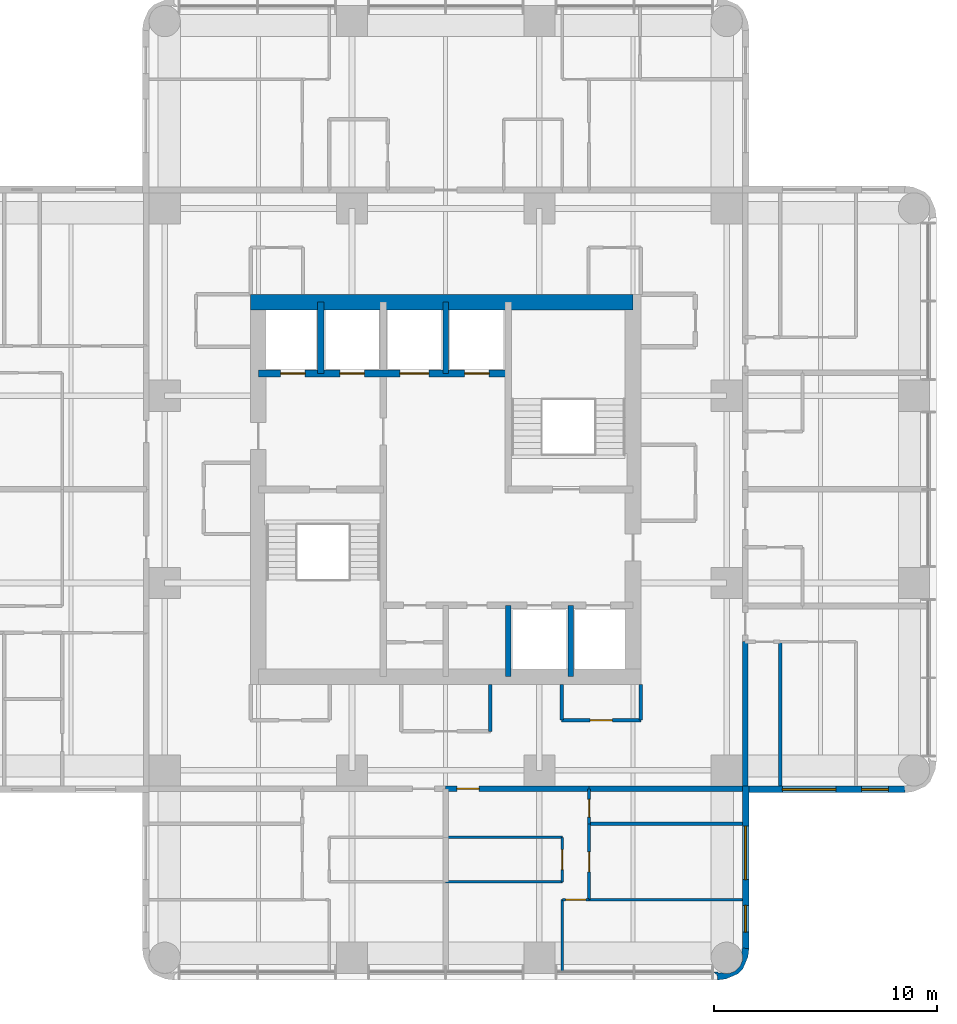
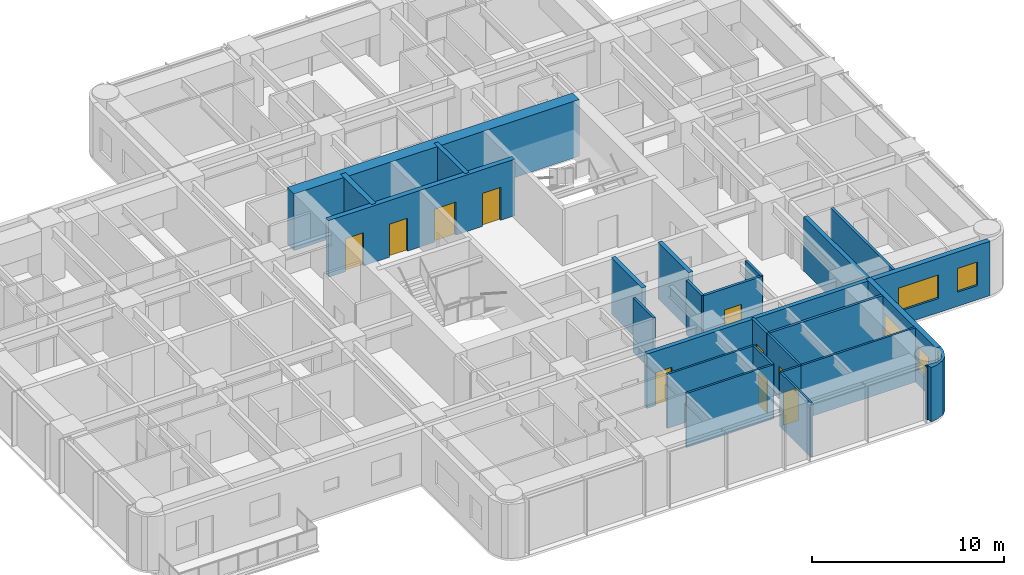
# One storey, part 7 of 12: 26 walls, 10 doors, 4 windows, 14 openings.
"""IFC4 building model written with IfcOpenShell, lengths in metres."""

from ifc_helpers import new_model, si_unit, direction, frame, frame_2d, origin, place, context, subcontext, project, spatial, polyline, rectangle, outline, extrude, material, layer, layer_set, type_object, element, fill, save


model = new_model("IFC4")

# Units and contexts
model_context = context("Model", 3, precision=1e-05, world=origin(), true_north=direction((0.0, 1.0)))
body_context = subcontext(model_context, "Body", "Model", "MODEL_VIEW")
ifc_project = project(units=[si_unit("LENGTHUNIT", "METRE"), si_unit("AREAUNIT", "SQUARE_METRE"), si_unit("VOLUMEUNIT", "CUBIC_METRE"), si_unit("PLANEANGLEUNIT", "RADIAN"), si_unit("MASSUNIT", "GRAM", prefix="KILO")], contexts=[model_context])

# Site, building, storey
site_placement = place(None, origin())
site = spatial("IfcSite", under=ifc_project, at=site_placement, CompositionType="ELEMENT")
building_placement = place(site_placement, origin())
building = spatial("IfcBuilding", under=site, at=building_placement, Name="Torre Alcanfor", CompositionType="ELEMENT")
storey_placement = place(building_placement, frame((0.0, 0.0, 226.5)))
storey = spatial("IfcBuildingStorey", under=building, at=storey_placement, Name="L59", CompositionType="ELEMENT", Elevation=226.5)

# Wall
ifc_material_1 = material(Name="Concrete block masonry, hollow blocks NMX-C-404 9 MPa", Category="masonry")
ifc_layer_1 = layer(ifc_material_1, 0.25)
ifc_layer_set_1 = layer_set([ifc_layer_1], Name="Apartment entrance wall 250 EI 60")
wall_type_1 = type_object("IfcWallType", Name="Apartment entrance wall 250 EI 60", PredefinedType="PARTITIONING", material=ifc_layer_set_1)
wall_1_placement = place(storey_placement, frame((42.824951171875, 22.571044921875, 0.0), z_axis=(0.0, 0.0, 1.0), x_axis=(0.0, -1.0, 0.0)))
element("IfcWall", 1, at=wall_1_placement, inside=storey, type_object=wall_type_1, Name="Partition L59-CORR / L59-E2B-BATH", PredefinedType="PARTITIONING", context=body_context, shape_type="SweptSolid", body=[
    extrude(rectangle(XDim=6.470947265625, YDim=0.25, at=frame_2d((3.2353515625, 0.0))), origin(), (0.0, 0.0, 1.0), 3.449951171875),
])

# Wall, opening, door
wall_2_placement = place(storey_placement, frame((35.8291015625, 15.97509765625, 0.0), z_axis=(0.0, 0.0, 1.0), x_axis=(-1.0, 0.0, 0.0)))
wall_2 = element("IfcWall", 2, at=wall_2_placement, inside=storey, type_object=wall_type_1, Name="Partition L59-CORR / L59-S1-LIVING", PredefinedType="PARTITIONING", context=body_context, shape_type="SweptSolid", body=[
    extrude(rectangle(XDim=6.42919921875, YDim=0.25, at=frame_2d((3.214599609375, 0.0))), origin(), (0.0, 0.0, 1.0), 3.449951171875),
])
opening_1_placement = place(wall_2_placement, frame((4.928955078125, 0.0, 0.0)))
opening_1 = element("IfcOpeningElement", 3, at=opening_1_placement, cuts=wall_2, Name="Opening D-A1", PredefinedType="OPENING", context=body_context, shape_type="SweptSolid", body=[
    extrude(rectangle(XDim=1.0, YDim=2.10009765625, at=frame_2d((0.5, 1.050048828125))), frame((0.0, 0.135009765625, 0.0), z_axis=(0.0, -1.0, 0.0), x_axis=(1.0, 0.0, 0.0)), (0.0, 0.0, 1.0), 0.27001953125),
])
ifc_material_2 = material(Name="Galvanised steel sheet ASTM A653", Category="steel")
door_type_1 = type_object("IfcDoorType", Name="Apartment entrance door FD60 1000x2100", OperationType="SINGLE_SWING_LEFT", PredefinedType="DOOR", material=ifc_material_2)
door_1_placement = place(opening_1_placement, origin())
door_1 = element("IfcDoor", 4, at=door_1_placement, inside=storey, type_object=door_type_1, Name="Apartment entrance L59-S1", OperationType="SINGLE_SWING_RIGHT", OverallHeight=2.10009765625, OverallWidth=1.0, PredefinedType="DOOR", context=body_context, shape_type="SweptSolid", body=[
    extrude(rectangle(XDim=1.0, YDim=2.10009765625, at=frame_2d((0.5, 1.050048828125))), frame((0.0, 0.02490234375, 0.0), z_axis=(0.0, -1.0, 0.0), x_axis=(1.0, 0.0, 0.0)), (0.0, 0.0, 1.0), 0.050048828125),
])
fill(opening_1, door_1)

# Walls
wall_3_placement = place(storey_placement, frame((42.699951171875, 15.97509765625, 0.0), z_axis=(0.0, 0.0, 1.0), x_axis=(-1.0, 0.0, 0.0)))
element("IfcWall", 5, at=wall_3_placement, inside=storey, type_object=wall_type_1, Name="Partition L59-CORR / L59-S1-BATH", PredefinedType="PARTITIONING", context=body_context, shape_type="SweptSolid", body=[
    extrude(rectangle(XDim=6.870849609375, YDim=0.25, at=frame_2d((3.435546875, 0.0))), origin(), (0.0, 0.0, 1.0), 3.449951171875),
])
ifc_material_3 = material(Name="Gypsum board on steel studs", Category="steel")
ifc_layer_2 = layer(ifc_material_3, 0.1201171875)
ifc_layer_set_2 = layer_set([ifc_layer_2], Name="Apartment partition 120")
wall_type_2 = type_object("IfcWallType", Name="Apartment partition 120", PredefinedType="PARTITIONING", material=ifc_layer_set_2)
wall_4_placement = place(storey_placement, frame((29.39990234375, 11.800048828125, 0.0), z_axis=(0.0, 0.0, 1.0), x_axis=(1.0, 0.0, 0.0)))
element("IfcWall", 6, at=wall_4_placement, inside=storey, type_object=wall_type_2, Name="Partition L59-S1-KITCHEN / L59-S1-LIVING", PredefinedType="PARTITIONING", context=body_context, shape_type="SweptSolid", body=[
    extrude(rectangle(XDim=5.22900390625, YDim=0.1201171875, at=frame_2d((2.614501953125, 0.0))), origin(), (0.0, 0.0, 1.0), 3.449951171875),
])

# Wall, opening, door
wall_5_placement = place(storey_placement, frame((34.62890625, 11.800048828125, 0.0), z_axis=(0.0, 0.0, 1.0), x_axis=(0.0, 1.0, 0.0)))
wall_5 = element("IfcWall", 7, at=wall_5_placement, inside=storey, type_object=wall_type_2, Name="Partition L59-S1-KITCHEN / L59-S1-LIVING", PredefinedType="PARTITIONING", context=body_context, shape_type="SweptSolid", body=[
    extrude(rectangle(XDim=2.0, YDim=0.1201171875, at=frame_2d((1.0, 0.0))), origin(), (0.0, 0.0, 1.0), 3.449951171875),
])
opening_2_placement = place(wall_5_placement, frame((0.550048828125, 0.0, 0.0)))
opening_2 = element("IfcOpeningElement", 8, at=opening_2_placement, cuts=wall_5, Name="Opening D-R1", PredefinedType="OPENING", context=body_context, shape_type="SweptSolid", body=[
    extrude(rectangle(XDim=0.89990234375, YDim=2.10009765625, at=frame_2d((0.449951171875, 1.050048828125))), frame((0.0, 0.070068359375, 0.0), z_axis=(0.0, -1.0, 0.0), x_axis=(1.0, 0.0, 0.0)), (0.0, 0.0, 1.0), 0.14013671875),
])
ifc_material_4 = material(Name="Timber", Category="wood")
door_type_2 = type_object("IfcDoorType", Name="Internal door 900x2100", OperationType="SINGLE_SWING_LEFT", PredefinedType="DOOR", material=ifc_material_4)
door_2_placement = place(opening_2_placement, origin())
door_2 = element("IfcDoor", 9, at=door_2_placement, inside=storey, type_object=door_type_2, Name="Door L59-S1 kitchen", OperationType="SINGLE_SWING_LEFT", OverallHeight=2.10009765625, OverallWidth=0.89990234375, PredefinedType="DOOR", context=body_context, shape_type="SweptSolid", body=[
    extrude(rectangle(XDim=0.89990234375, YDim=2.10009765625, at=frame_2d((0.449951171875, 1.050048828125))), frame((0.0, 0.02490234375, 0.0), z_axis=(0.0, -1.0, 0.0), x_axis=(1.0, 0.0, 0.0)), (0.0, 0.0, 1.0), 0.050048828125),
])
fill(opening_2, door_2)

# Wall
wall_6_placement = place(storey_placement, frame((34.62890625, 13.800048828125, 0.0), z_axis=(0.0, 0.0, 1.0), x_axis=(-1.0, 0.0, 0.0)))
element("IfcWall", 10, at=wall_6_placement, inside=storey, type_object=wall_type_2, Name="Partition L59-S1-KITCHEN / L59-S1-LIVING", PredefinedType="PARTITIONING", context=body_context, shape_type="SweptSolid", body=[
    extrude(rectangle(XDim=5.22900390625, YDim=0.1201171875, at=frame_2d((2.614501953125, 0.0))), origin(), (0.0, 0.0, 1.0), 3.449951171875),
])

# Wall, opening, door
wall_7_placement = place(storey_placement, frame((35.8291015625, 14.39990234375, 0.0), z_axis=(0.0, 0.0, 1.0), x_axis=(0.0, -1.0, 0.0)))
wall_7 = element("IfcWall", 11, at=wall_7_placement, inside=storey, type_object=wall_type_2, Name="Partition L59-S1-LIVING / L59-S1-STUDY", PredefinedType="PARTITIONING", context=body_context, shape_type="SweptSolid", body=[
    extrude(rectangle(XDim=3.39990234375, YDim=0.1201171875, at=frame_2d((1.699951171875, 0.0))), origin(), (0.0, 0.0, 1.0), 3.449951171875),
])
opening_3_placement = place(wall_7_placement, frame((1.25, 0.0, 0.0)))
opening_3 = element("IfcOpeningElement", 12, at=opening_3_placement, cuts=wall_7, Name="Opening D-R1", PredefinedType="OPENING", context=body_context, shape_type="SweptSolid", body=[
    extrude(rectangle(XDim=0.89990234375, YDim=2.10009765625, at=frame_2d((0.449951171875, 1.050048828125))), frame((0.0, 0.070068359375, 0.0), z_axis=(0.0, -1.0, 0.0), x_axis=(1.0, 0.0, 0.0)), (0.0, 0.0, 1.0), 0.14013671875),
])
door_3_placement = place(opening_3_placement, origin())
door_3 = element("IfcDoor", 13, at=door_3_placement, inside=storey, type_object=door_type_2, Name="Door L59-S1 study", OperationType="SINGLE_SWING_LEFT", OverallHeight=2.10009765625, OverallWidth=0.89990234375, PredefinedType="DOOR", context=body_context, shape_type="SweptSolid", body=[
    extrude(rectangle(XDim=0.89990234375, YDim=2.10009765625, at=frame_2d((0.449951171875, 1.050048828125))), frame((0.0, 0.02490234375, 0.0), z_axis=(0.0, -1.0, 0.0), x_axis=(1.0, 0.0, 0.0)), (0.0, 0.0, 1.0), 0.050048828125),
])
fill(opening_3, door_3)

wall_8_placement = place(storey_placement, frame((35.8291015625, 11.0, 0.0), z_axis=(0.0, 0.0, 1.0), x_axis=(-1.0, 0.0, 0.0)))
wall_8 = element("IfcWall", 14, at=wall_8_placement, inside=storey, type_object=wall_type_2, Name="Partition L59-S1-LIVING / L59-S1-MASTER", PredefinedType="PARTITIONING", context=body_context, shape_type="SweptSolid", body=[
    extrude(rectangle(XDim=1.2001953125, YDim=0.1201171875, at=frame_2d((0.60009765625, 0.0))), origin(), (0.0, 0.0, 1.0), 3.449951171875),
])
opening_4_placement = place(wall_8_placement, frame((0.14892578125, 0.0, 0.0)))
opening_4 = element("IfcOpeningElement", 15, at=opening_4_placement, cuts=wall_8, Name="Opening D-R1", PredefinedType="OPENING", context=body_context, shape_type="SweptSolid", body=[
    extrude(rectangle(XDim=0.89990234375, YDim=2.10009765625, at=frame_2d((0.449951171875, 1.050048828125))), frame((0.0, 0.070068359375, 0.0), z_axis=(0.0, -1.0, 0.0), x_axis=(1.0, 0.0, 0.0)), (0.0, 0.0, 1.0), 0.14013671875),
])
door_4_placement = place(opening_4_placement, origin())
door_4 = element("IfcDoor", 16, at=door_4_placement, inside=storey, type_object=door_type_2, Name="Door L59-S1 master", OperationType="SINGLE_SWING_RIGHT", OverallHeight=2.10009765625, OverallWidth=0.89990234375, PredefinedType="DOOR", context=body_context, shape_type="SweptSolid", body=[
    extrude(rectangle(XDim=0.89990234375, YDim=2.10009765625, at=frame_2d((0.449951171875, 1.050048828125))), frame((0.0, 0.02490234375, 0.0), z_axis=(0.0, -1.0, 0.0), x_axis=(1.0, 0.0, 0.0)), (0.0, 0.0, 1.0), 0.050048828125),
])
fill(opening_4, door_4)

# Walls
wall_9_placement = place(storey_placement, frame((34.62890625, 11.0, 0.0), z_axis=(0.0, 0.0, 1.0), x_axis=(0.0, -1.0, 0.0)))
element("IfcWall", 17, at=wall_9_placement, inside=storey, type_object=wall_type_2, Name="Partition L59-S1-LIVING / L59-S1-MASTER", PredefinedType="PARTITIONING", context=body_context, shape_type="SweptSolid", body=[
    extrude(rectangle(XDim=3.25, YDim=0.1201171875, at=frame_2d((1.625, 0.0))), origin(), (0.0, 0.0, 1.0), 3.449951171875),
])
wall_10_placement = place(storey_placement, frame((35.8291015625, 11.0, 0.0), z_axis=(0.0, 0.0, 1.0), x_axis=(1.0, 0.0, 0.0)))
element("IfcWall", 18, at=wall_10_placement, inside=storey, type_object=wall_type_2, Name="Partition L59-S1-STUDY / L59-S1-MASTER", PredefinedType="PARTITIONING", context=body_context, shape_type="SweptSolid", body=[
    extrude(rectangle(XDim=6.870849609375, YDim=0.1201171875, at=frame_2d((3.435546875, 0.0))), origin(), (0.0, 0.0, 1.0), 3.449951171875),
])

# Wall, openings, doors
ifc_material_5 = material(Name="Concrete f'c 70 MPa", Category="concrete")
ifc_layer_3 = layer(ifc_material_5, 0.300048828125)
ifc_layer_set_3 = layer_set([ifc_layer_3], Name="Core inner wall 300 f'c70")
wall_type_3 = type_object("IfcWallType", Name="Core inner wall 300 f'c70", PredefinedType="SHEAR", material=ifc_layer_set_3)
wall_11_placement = place(storey_placement, frame((21.0, 34.60009765625, 0.0), z_axis=(0.0, 0.0, 1.0), x_axis=(1.0, 0.0, 0.0)))
wall_11 = element("IfcWall", 19, at=wall_11_placement, inside=storey, type_object=wall_type_3, Name="Core wall Y346 L59", PredefinedType="SHEAR", context=body_context, shape_type="SweptSolid", body=[
    extrude(rectangle(XDim=11.199951171875, YDim=0.300048828125, at=frame_2d((5.60009765625, 0.0))), origin(), (0.0, 0.0, 1.0), 3.60009765625),
])
opening_5_placement = place(wall_11_placement, frame((9.25, 0.0, 0.0)))
opening_5 = element("IfcOpeningElement", 20, at=opening_5_placement, cuts=wall_11, Name="Opening LD1", PredefinedType="OPENING", context=body_context, shape_type="SweptSolid", body=[
    extrude(rectangle(XDim=1.10009765625, YDim=2.10009765625, at=frame_2d((0.550048828125, 1.050048828125))), frame((0.0, 0.159912109375, 0.0), z_axis=(0.0, -1.0, 0.0), x_axis=(1.0, 0.0, 0.0)), (0.0, 0.0, 1.0), 0.320068359375),
])
opening_6_placement = place(wall_11_placement, frame((1.0, 0.0, 0.0)))
opening_6 = element("IfcOpeningElement", 21, at=opening_6_placement, cuts=wall_11, Name="Opening LD2", PredefinedType="OPENING", context=body_context, shape_type="SweptSolid", body=[
    extrude(rectangle(XDim=1.10009765625, YDim=2.10009765625, at=frame_2d((0.550048828125, 1.050048828125))), frame((0.0, 0.159912109375, 0.0), z_axis=(0.0, -1.0, 0.0), x_axis=(1.0, 0.0, 0.0)), (0.0, 0.0, 1.0), 0.320068359375),
])
opening_7_placement = place(wall_11_placement, frame((3.64990234375, 0.0, 0.0)))
opening_7 = element("IfcOpeningElement", 22, at=opening_7_placement, cuts=wall_11, Name="Opening LD2", PredefinedType="OPENING", context=body_context, shape_type="SweptSolid", body=[
    extrude(rectangle(XDim=1.10009765625, YDim=2.10009765625, at=frame_2d((0.550048828125, 1.050048828125))), frame((0.0, 0.159912109375, 0.0), z_axis=(0.0, -1.0, 0.0), x_axis=(1.0, 0.0, 0.0)), (0.0, 0.0, 1.0), 0.320068359375),
])
opening_8_placement = place(wall_11_placement, frame((6.35009765625, 0.0, 0.0)))
opening_8 = element("IfcOpeningElement", 23, at=opening_8_placement, cuts=wall_11, Name="Opening LD3", PredefinedType="OPENING", context=body_context, shape_type="SweptSolid", body=[
    extrude(rectangle(XDim=1.300048828125, YDim=2.10009765625, at=frame_2d((0.64990234375, 1.050048828125))), frame((0.0, 0.159912109375, 0.0), z_axis=(0.0, -1.0, 0.0), x_axis=(1.0, 0.0, 0.0)), (0.0, 0.0, 1.0), 0.320068359375),
])
ifc_material_6 = material(Name="Galvanised steel sheet ASTM A653", Category="steel")
door_type_3 = type_object("IfcDoorType", Name="Firefighting lift landing door 1100x2100", OperationType="DOUBLE_DOOR_SLIDING", PredefinedType="DOOR", material=ifc_material_6)
door_5_placement = place(opening_6_placement, origin())
door_5 = element("IfcDoor", 24, at=door_5_placement, inside=storey, type_object=door_type_3, Name="Lift landing door FL1 L59", OperationType="DOUBLE_DOOR_SLIDING", OverallHeight=2.10009765625, OverallWidth=1.10009765625, PredefinedType="DOOR", context=body_context, shape_type="SweptSolid", body=[
    extrude(rectangle(XDim=1.10009765625, YDim=2.10009765625, at=frame_2d((0.550048828125, 1.050048828125))), frame((0.0, 0.02490234375, 0.0), z_axis=(0.0, -1.0, 0.0), x_axis=(1.0, 0.0, 0.0)), (0.0, 0.0, 1.0), 0.050048828125),
])
fill(opening_6, door_5)
door_6_placement = place(opening_7_placement, origin())
door_6 = element("IfcDoor", 25, at=door_6_placement, inside=storey, type_object=door_type_3, Name="Lift landing door FL2 L59", OperationType="DOUBLE_DOOR_SLIDING", OverallHeight=2.10009765625, OverallWidth=1.10009765625, PredefinedType="DOOR", context=body_context, shape_type="SweptSolid", body=[
    extrude(rectangle(XDim=1.10009765625, YDim=2.10009765625, at=frame_2d((0.550048828125, 1.050048828125))), frame((0.0, 0.02490234375, 0.0), z_axis=(0.0, -1.0, 0.0), x_axis=(1.0, 0.0, 0.0)), (0.0, 0.0, 1.0), 0.050048828125),
])
fill(opening_7, door_6)
ifc_material_7 = material(Name="Galvanised steel sheet ASTM A653", Category="steel")
door_type_4 = type_object("IfcDoorType", Name="Lift landing door 1100x2100", OperationType="DOUBLE_DOOR_SLIDING", PredefinedType="DOOR", material=ifc_material_7)
door_7_placement = place(opening_5_placement, origin())
door_7 = element("IfcDoor", 26, at=door_7_placement, inside=storey, type_object=door_type_4, Name="Lift landing door PA5 L59", OperationType="DOUBLE_DOOR_SLIDING", OverallHeight=2.10009765625, OverallWidth=1.10009765625, PredefinedType="DOOR", context=body_context, shape_type="SweptSolid", body=[
    extrude(rectangle(XDim=1.10009765625, YDim=2.10009765625, at=frame_2d((0.550048828125, 1.050048828125))), frame((0.0, 0.02490234375, 0.0), z_axis=(0.0, -1.0, 0.0), x_axis=(1.0, 0.0, 0.0)), (0.0, 0.0, 1.0), 0.050048828125),
])
fill(opening_5, door_7)
ifc_material_8 = material(Name="Galvanised steel sheet ASTM A653", Category="steel")
door_type_5 = type_object("IfcDoorType", Name="Service lift landing door 1300x2100", OperationType="DOUBLE_DOOR_SLIDING", PredefinedType="DOOR", material=ifc_material_8)
door_8_placement = place(opening_8_placement, origin())
door_8 = element("IfcDoor", 27, at=door_8_placement, inside=storey, type_object=door_type_5, Name="Lift landing door SL1 L59", OperationType="DOUBLE_DOOR_SLIDING", OverallHeight=2.10009765625, OverallWidth=1.300048828125, PredefinedType="DOOR", context=body_context, shape_type="SweptSolid", body=[
    extrude(rectangle(XDim=1.300048828125, YDim=2.10009765625, at=frame_2d((0.64990234375, 1.050048828125))), frame((0.0, 0.02490234375, 0.0), z_axis=(0.0, -1.0, 0.0), x_axis=(1.0, 0.0, 0.0)), (0.0, 0.0, 1.0), 0.050048828125),
])
fill(opening_8, door_8)

# Walls
wall_12_placement = place(storey_placement, frame((23.800048828125, 34.60009765625, 0.0), z_axis=(0.0, 0.0, 1.0), x_axis=(0.0, 1.0, 0.0)))
element("IfcWall", 28, at=wall_12_placement, inside=storey, type_object=wall_type_3, Name="Core wall X238 L59", PredefinedType="SHEAR", context=body_context, shape_type="SweptSolid", body=[
    extrude(rectangle(XDim=3.199951171875, YDim=0.300048828125, at=frame_2d((1.60009765625, 0.0))), origin(), (0.0, 0.0, 1.0), 3.60009765625),
])
ifc_material_9 = material(Name="Concrete f'c 70 MPa", Category="concrete")
ifc_layer_4 = layer(ifc_material_9, 0.25)
ifc_layer_set_4 = layer_set([ifc_layer_4], Name="Core shaft wall 250 f'c70")
wall_type_4 = type_object("IfcWallType", Name="Core shaft wall 250 f'c70", PredefinedType="SHEAR", material=ifc_layer_set_4)
for number, where, z_axis, x_axis, name in (
    (29, (32.199951171875, 21.0, 0.0), (0.0, 0.0, 1.0), (0.0, 1.0, 0.0), "Core wall X322S L59"),
    (30, (35.0, 21.0, 0.0), (0.0, 0.0, 1.0), (0.0, 1.0, 0.0), "Core wall X350S L59"),
    (31, (29.39990234375, 34.60009765625, 0.0), (0.0, 0.0, 1.0), (0.0, 1.0, 0.0), "Core wall X294N L59"),
):
    element("IfcWall", number, at=place(storey_placement, frame(where, z_axis=z_axis, x_axis=x_axis)), inside=storey, type_object=wall_type_4, Name=name, PredefinedType="SHEAR", context=body_context, shape_type="SweptSolid", body=[
        extrude(rectangle(XDim=3.199951171875, YDim=0.25, at=frame_2d((1.60009765625, 0.0))), origin(), (0.0, 0.0, 1.0), 3.60009765625),
    ])
ifc_material_10 = material(Name="Concrete f'c 70 MPa", Category="concrete")
ifc_layer_5 = layer(ifc_material_10, 0.699951171875)
ifc_layer_set_5 = layer_set([ifc_layer_5], Name="Core wall 700 f'c70")
wall_type_5 = type_object("IfcWallType", Name="Core wall 700 f'c70", PredefinedType="SHEAR", material=ifc_layer_set_5)
wall_13_placement = place(storey_placement, frame((37.800048828125, 37.800048828125, 0.0), z_axis=(0.0, 0.0, 1.0), x_axis=(-1.0, 0.0, 0.0)))
element("IfcWall", 32, at=wall_13_placement, inside=storey, type_object=wall_type_5, Name="Core wall OUT-N L59", PredefinedType="SHEAR", context=body_context, shape_type="SweptSolid", body=[
    extrude(rectangle(XDim=17.150146484375, YDim=0.699951171875, at=frame_2d((8.5751953125, 0.0))), origin(), (0.0, 0.0, 1.0), 3.60009765625),
])

# Wall, openings, windows
ifc_material_11 = material(Name="Limestone cladding", Category="masonry")
ifc_layer_6 = layer(ifc_material_11, 0.0400390625, Name="Facing")
ifc_material_12 = material(Name="Ventilated air cavity")
ifc_layer_7 = layer(ifc_material_12, 0.02001953125, ventilated=True, Name="Ventilated joint")
ifc_material_13 = material(Name="Mineral wool insulation", Category="insulation")
ifc_layer_8 = layer(ifc_material_13, 0.10009765625, Name="Insulation")
ifc_material_14 = material(Name="Concrete f'c 35 MPa", Category="concrete")
ifc_layer_9 = layer(ifc_material_14, 0.139892578125, Name="Backing")
ifc_layer_set_6 = layer_set([ifc_layer_6, ifc_layer_7, ifc_layer_8, ifc_layer_9], Name="External wall stone-clad 300")
wall_type_6 = type_object("IfcWallType", Name="External wall stone-clad 300", PredefinedType="SOLIDWALL", material=ifc_layer_set_6)
wall_14_placement = place(storey_placement, frame((42.85009765625, 8.800048828125, 0.0), z_axis=(0.0, 0.0, 1.0), x_axis=(0.0, 1.0, 0.0)))
wall_14 = element("IfcWall", 33, at=wall_14_placement, inside=storey, type_object=wall_type_6, Name="External wall L59 6", PredefinedType="SOLIDWALL", context=body_context, shape_type="SweptSolid", body=[
    extrude(rectangle(XDim=7.300048828125, YDim=0.300048828125, at=frame_2d((3.64990234375, 0.0))), origin(), (0.0, 0.0, 1.0), 3.449951171875),
])
opening_9_placement = place(wall_14_placement, frame((3.10009765625, 0.0, 0.89990234375)))
opening_9 = element("IfcOpeningElement", 34, at=opening_9_placement, cuts=wall_14, Name="Opening W1", PredefinedType="OPENING", context=body_context, shape_type="SweptSolid", body=[
    extrude(rectangle(XDim=2.39990234375, YDim=1.5, at=frame_2d((1.199951171875, 0.75))), frame((0.0, 0.159912109375, 0.0), z_axis=(0.0, -1.0, 0.0), x_axis=(1.0, 0.0, 0.0)), (0.0, 0.0, 1.0), 0.320068359375),
])
opening_10_placement = place(wall_14_placement, frame((0.75, 0.0, 0.89990234375)))
opening_10 = element("IfcOpeningElement", 35, at=opening_10_placement, cuts=wall_14, Name="Opening W4", PredefinedType="OPENING", context=body_context, shape_type="SweptSolid", body=[
    extrude(rectangle(XDim=1.199951171875, YDim=1.5, at=frame_2d((0.60009765625, 0.75))), frame((0.0, 0.159912109375, 0.0), z_axis=(0.0, -1.0, 0.0), x_axis=(1.0, 0.0, 0.0)), (0.0, 0.0, 1.0), 0.320068359375),
])
ifc_material_15 = material(Name="Aluminium frame with clear double glazing", Category="aluminium")
window_type_1 = type_object("IfcWindowType", Name="Window bedroom 1200x1500", PartitioningType="SINGLE_PANEL", PredefinedType="WINDOW", material=ifc_material_15)
window_1_placement = place(opening_10_placement, origin())
window_1 = element("IfcWindow", 36, at=window_1_placement, inside=storey, type_object=window_type_1, Name="Window W4 L59-S1", OverallHeight=1.5, OverallWidth=1.199951171875, PartitioningType="SINGLE_PANEL", PredefinedType="WINDOW", context=body_context, shape_type="SweptSolid", body=[
    extrude(rectangle(XDim=1.199951171875, YDim=1.5, at=frame_2d((0.60009765625, 0.75))), frame((0.0, 0.030029296875, 0.0), z_axis=(0.0, -1.0, 0.0), x_axis=(1.0, 0.0, 0.0)), (0.0, 0.0, 1.0), 0.06005859375),
])
fill(opening_10, window_1)
ifc_material_16 = material(Name="Aluminium frame with clear double glazing", Category="aluminium")
window_type_2 = type_object("IfcWindowType", Name="Window bedroom 2400x1500", PartitioningType="SINGLE_PANEL", PredefinedType="WINDOW", material=ifc_material_16)
window_2_placement = place(opening_9_placement, origin())
window_2 = element("IfcWindow", 37, at=window_2_placement, inside=storey, type_object=window_type_2, Name="Window W1 L59-S1", OverallHeight=1.5, OverallWidth=2.39990234375, PartitioningType="SINGLE_PANEL", PredefinedType="WINDOW", context=body_context, shape_type="SweptSolid", body=[
    extrude(rectangle(XDim=2.39990234375, YDim=1.5, at=frame_2d((1.199951171875, 0.75))), frame((0.0, 0.030029296875, 0.0), z_axis=(0.0, -1.0, 0.0), x_axis=(1.0, 0.0, 0.0)), (0.0, 0.0, 1.0), 0.06005859375),
])
fill(opening_9, window_2)

wall_15_placement = place(storey_placement, frame((43.0, 15.949951171875, 0.0), z_axis=(0.0, 0.0, 1.0), x_axis=(1.0, 0.0, 0.0)))
wall_15 = element("IfcWall", 38, at=wall_15_placement, inside=storey, type_object=wall_type_6, Name="External wall L59 7", PredefinedType="SOLIDWALL", context=body_context, shape_type="SweptSolid", body=[
    extrude(rectangle(XDim=7.0, YDim=0.300048828125, at=frame_2d((3.5, 0.0))), origin(), (0.0, 0.0, 1.0), 3.449951171875),
])
opening_11_placement = place(wall_15_placement, frame((1.5, 0.0, 0.89990234375)))
opening_11 = element("IfcOpeningElement", 39, at=opening_11_placement, cuts=wall_15, Name="Opening W1", PredefinedType="OPENING", context=body_context, shape_type="SweptSolid", body=[
    extrude(rectangle(XDim=2.39990234375, YDim=1.5, at=frame_2d((1.199951171875, 0.75))), frame((0.0, 0.159912109375, 0.0), z_axis=(0.0, -1.0, 0.0), x_axis=(1.0, 0.0, 0.0)), (0.0, 0.0, 1.0), 0.320068359375),
])
opening_12_placement = place(wall_15_placement, frame((5.050048828125, 0.0, 0.89990234375)))
opening_12 = element("IfcOpeningElement", 40, at=opening_12_placement, cuts=wall_15, Name="Opening W4", PredefinedType="OPENING", context=body_context, shape_type="SweptSolid", body=[
    extrude(rectangle(XDim=1.199951171875, YDim=1.5, at=frame_2d((0.60009765625, 0.75))), frame((0.0, 0.159912109375, 0.0), z_axis=(0.0, -1.0, 0.0), x_axis=(1.0, 0.0, 0.0)), (0.0, 0.0, 1.0), 0.320068359375),
])
window_3_placement = place(opening_12_placement, origin())
window_3 = element("IfcWindow", 41, at=window_3_placement, inside=storey, type_object=window_type_1, Name="Window W4 L59-E2", OverallHeight=1.5, OverallWidth=1.199951171875, PartitioningType="SINGLE_PANEL", PredefinedType="WINDOW", context=body_context, shape_type="SweptSolid", body=[
    extrude(rectangle(XDim=1.199951171875, YDim=1.5, at=frame_2d((0.60009765625, 0.75))), frame((0.0, 0.030029296875, 0.0), z_axis=(0.0, -1.0, 0.0), x_axis=(1.0, 0.0, 0.0)), (0.0, 0.0, 1.0), 0.06005859375),
])
fill(opening_12, window_3)
window_4_placement = place(opening_11_placement, origin())
window_4 = element("IfcWindow", 42, at=window_4_placement, inside=storey, type_object=window_type_2, Name="Window W1 L59-E2", OverallHeight=1.5, OverallWidth=2.39990234375, PartitioningType="SINGLE_PANEL", PredefinedType="WINDOW", context=body_context, shape_type="SweptSolid", body=[
    extrude(rectangle(XDim=2.39990234375, YDim=1.5, at=frame_2d((1.199951171875, 0.75))), frame((0.0, 0.030029296875, 0.0), z_axis=(0.0, -1.0, 0.0), x_axis=(1.0, 0.0, 0.0)), (0.0, 0.0, 1.0), 0.06005859375),
])
fill(opening_11, window_4)

# Walls
ifc_material_17 = material(Name="Concrete block masonry, hollow blocks NMX-C-404 9 MPa", Category="masonry")
ifc_layer_10 = layer(ifc_material_17, 0.14990234375)
ifc_layer_set_7 = layer_set([ifc_layer_10], Name="Residents' room partition 150")
wall_type_7 = type_object("IfcWallType", Name="Residents' room partition 150", PredefinedType="PARTITIONING", material=ifc_layer_set_7)
wall_16_placement = place(storey_placement, frame((31.39990234375, 18.550048828125, 0.0), z_axis=(0.0, 0.0, 1.0), x_axis=(0.0, 1.0, 0.0)))
element("IfcWall", 43, at=wall_16_placement, inside=storey, type_object=wall_type_7, Name="Partition L59-CORR / L59-G06", PredefinedType="PARTITIONING", context=body_context, shape_type="SweptSolid", body=[
    extrude(rectangle(XDim=2.099853515625, YDim=0.14990234375, at=frame_2d((1.0498046875, 0.0))), origin(), (0.0, 0.0, 1.0), 3.449951171875),
])
wall_17_placement = place(storey_placement, frame((34.60009765625, 20.64990234375, 0.0), z_axis=(0.0, 0.0, 1.0), x_axis=(0.0, -1.0, 0.0)))
element("IfcWall", 44, at=wall_17_placement, inside=storey, type_object=wall_type_7, Name="Partition L59-CORR / L59-G07", PredefinedType="PARTITIONING", context=body_context, shape_type="SweptSolid", body=[
    extrude(rectangle(XDim=1.599853515625, YDim=0.14990234375, at=frame_2d((0.7998046875, 0.0))), origin(), (0.0, 0.0, 1.0), 3.449951171875),
])

# Wall, opening, door
wall_18_placement = place(storey_placement, frame((34.60009765625, 19.050048828125, 0.0), z_axis=(0.0, 0.0, 1.0), x_axis=(1.0, 0.0, 0.0)))
wall_18 = element("IfcWall", 45, at=wall_18_placement, inside=storey, type_object=wall_type_7, Name="Partition L59-CORR / L59-G07", PredefinedType="PARTITIONING", context=body_context, shape_type="SweptSolid", body=[
    extrude(rectangle(XDim=3.5498046875, YDim=0.14990234375, at=frame_2d((1.77490234375, 0.0))), origin(), (0.0, 0.0, 1.0), 3.449951171875),
])
opening_13_placement = place(wall_18_placement, frame((1.27490234375, 0.0, 0.0)))
opening_13 = element("IfcOpeningElement", 46, at=opening_13_placement, cuts=wall_18, Name="Opening D-M1", PredefinedType="OPENING", context=body_context, shape_type="SweptSolid", body=[
    extrude(rectangle(XDim=1.0, YDim=2.10009765625, at=frame_2d((0.5, 1.050048828125))), frame((0.0, 0.0849609375, 0.0), z_axis=(0.0, -1.0, 0.0), x_axis=(1.0, 0.0, 0.0)), (0.0, 0.0, 1.0), 0.169921875),
])
ifc_material_18 = material(Name="Timber", Category="wood")
door_type_6 = type_object("IfcDoorType", Name="Residents' room door 1000x2100", OperationType="SINGLE_SWING_LEFT", PredefinedType="DOOR", material=ifc_material_18)
door_9_placement = place(opening_13_placement, origin())
door_9 = element("IfcDoor", 47, at=door_9_placement, inside=storey, type_object=door_type_6, Name="Door L59-G07 parcel room", OperationType="SINGLE_SWING_LEFT", OverallHeight=2.10009765625, OverallWidth=1.0, PredefinedType="DOOR", context=body_context, shape_type="SweptSolid", body=[
    extrude(rectangle(XDim=1.0, YDim=2.10009765625, at=frame_2d((0.5, 1.050048828125))), frame((0.0, 0.02490234375, 0.0), z_axis=(0.0, -1.0, 0.0), x_axis=(1.0, 0.0, 0.0)), (0.0, 0.0, 1.0), 0.050048828125),
])
fill(opening_13, door_9)

# Walls
wall_19_placement = place(storey_placement, frame((38.14990234375, 19.050048828125, 0.0), z_axis=(0.0, 0.0, 1.0), x_axis=(0.0, 1.0, 0.0)))
element("IfcWall", 48, at=wall_19_placement, inside=storey, type_object=wall_type_7, Name="Partition L59-CORR / L59-G07", PredefinedType="PARTITIONING", context=body_context, shape_type="SweptSolid", body=[
    extrude(rectangle(XDim=1.599853515625, YDim=0.14990234375, at=frame_2d((0.7998046875, 0.0))), origin(), (0.0, 0.0, 1.0), 3.449951171875),
])
ifc_layer_11 = layer(ifc_material_11, 0.0400390625, Name="Facing")
ifc_layer_12 = layer(ifc_material_12, 0.02001953125, ventilated=True, Name="Ventilated joint")
ifc_layer_13 = layer(ifc_material_13, 0.10009765625, Name="Insulation")
ifc_layer_14 = layer(ifc_material_14, 0.139892578125, Name="Backing")
ifc_layer_set_8 = layer_set([ifc_layer_11, ifc_layer_12, ifc_layer_13, ifc_layer_14], Name="Rounded corner pier stone-clad 300")
wall_type_8 = type_object("IfcWallType", Name="Rounded corner pier stone-clad 300", PredefinedType="SOLIDWALL", material=ifc_layer_set_8)
wall_20_placement = place(storey_placement, frame((41.487674505, 7.81184816, 0.0), z_axis=(0.0, 0.0, 1.0), x_axis=(0.439933741929, -0.898030234854, 0.0)))
element("IfcWall", 49, at=wall_20_placement, inside=storey, type_object=wall_type_8, Name="Corner pier L59 16", PredefinedType="SOLIDWALL", context=body_context, shape_type="SweptSolid", body=[
    extrude(outline(polyline([(-0.22211106405008596, 1.79285683715578), (-0.38963046514304167, 1.5408036407584151), (-0.3716523207929293, 1.5319963734639448), (-0.19468756344442484, 1.4143112499146666), (-0.11952867709650372, 1.4095716139925836), (0.13084986982823227, 1.2869143060622759), (0.31521775375122, 1.077790939273673), (0.4056918504372342, 0.8140758848288827), (0.38808178724257975, 0.5356161745678794), (0.2654244793122719, 0.2852376276431435), (0.2089428669679142, 0.23542648619150297), (0.14753391384334946, 0.052913590909571956), (0.10500025525893722, 0.07375029645990445), (0.031856974435347366, -0.07555599991115089), (0.1375846098688884, -0.03953909720776211), (0.1818140873587874, -0.00030939302076338215), (0.41939853572309777, -0.08026947549461516), (0.5358164427032454, 0.26614260505761644), (0.5587307592354187, 0.6309028220812384), (0.5547454122460747, 0.6510699721236227), (0.5663481591314005, 0.8356895887147825), (0.4554073490163316, 1.1591818423176052), (0.33330228334154954, 1.2978396679318425), (0.3239786746038034, 1.3165440299102549), (0.08230538830534162, 1.5907138760183892), (-0.22211106405008596, 1.79285683715578)])), origin(), (0.0, 0.0, 1.0), 3.449951171875),
])
ifc_material_19 = material(Name="Cement board on steel studs", Category="steel")
ifc_layer_15 = layer(ifc_material_19, 0.14990234375)
ifc_layer_set_9 = layer_set([ifc_layer_15], Name="Wet area partition 150")
wall_type_9 = type_object("IfcWallType", Name="Wet area partition 150", PredefinedType="PARTITIONING", material=ifc_layer_set_9)
wall_21_placement = place(storey_placement, frame((44.39990234375, 22.571044921875, 0.0), z_axis=(0.0, 0.0, 1.0), x_axis=(0.0, -1.0, 0.0)))
element("IfcWall", 50, at=wall_21_placement, inside=storey, type_object=wall_type_9, Name="Partition L59-E2B-BATH / L59-E2B-MASTER", PredefinedType="PARTITIONING", context=body_context, shape_type="SweptSolid", body=[
    extrude(rectangle(XDim=6.470947265625, YDim=0.14990234375, at=frame_2d((3.2353515625, 0.0))), origin(), (0.0, 0.0, 1.0), 3.449951171875),
])

# Wall, opening, door
wall_22_placement = place(storey_placement, frame((35.8291015625, 15.97509765625, 0.0), z_axis=(0.0, 0.0, 1.0), x_axis=(0.0, -1.0, 0.0)))
wall_22 = element("IfcWall", 51, at=wall_22_placement, inside=storey, type_object=wall_type_9, Name="Partition L59-S1-LIVING / L59-S1-BATH", PredefinedType="PARTITIONING", context=body_context, shape_type="SweptSolid", body=[
    extrude(rectangle(XDim=1.5751953125, YDim=0.14990234375, at=frame_2d((0.78759765625, 0.0))), origin(), (0.0, 0.0, 1.0), 3.449951171875),
])
opening_14_placement = place(wall_22_placement, frame((0.47509765625, 0.0, 0.0)))
opening_14 = element("IfcOpeningElement", 52, at=opening_14_placement, cuts=wall_22, Name="Opening D-R2", PredefinedType="OPENING", context=body_context, shape_type="SweptSolid", body=[
    extrude(rectangle(XDim=0.800048828125, YDim=2.10009765625, at=frame_2d((0.39990234375, 1.050048828125))), frame((0.0, 0.0849609375, 0.0), z_axis=(0.0, -1.0, 0.0), x_axis=(1.0, 0.0, 0.0)), (0.0, 0.0, 1.0), 0.169921875),
])
ifc_material_20 = material(Name="Timber", Category="wood")
door_type_7 = type_object("IfcDoorType", Name="Bathroom door 800x2100", OperationType="SINGLE_SWING_LEFT", PredefinedType="DOOR", material=ifc_material_20)
door_10_placement = place(opening_14_placement, origin())
door_10 = element("IfcDoor", 53, at=door_10_placement, inside=storey, type_object=door_type_7, Name="Door L59-S1 bath", OperationType="SINGLE_SWING_RIGHT", OverallHeight=2.10009765625, OverallWidth=0.800048828125, PredefinedType="DOOR", context=body_context, shape_type="SweptSolid", body=[
    extrude(rectangle(XDim=0.800048828125, YDim=2.10009765625, at=frame_2d((0.39990234375, 1.050048828125))), frame((0.0, 0.02490234375, 0.0), z_axis=(0.0, -1.0, 0.0), x_axis=(1.0, 0.0, 0.0)), (0.0, 0.0, 1.0), 0.050048828125),
])
fill(opening_14, door_10)

# Wall
wall_23_placement = place(storey_placement, frame((35.8291015625, 14.39990234375, 0.0), z_axis=(0.0, 0.0, 1.0), x_axis=(1.0, 0.0, 0.0)))
element("IfcWall", 54, at=wall_23_placement, inside=storey, type_object=wall_type_9, Name="Partition L59-S1-BATH / L59-S1-STUDY", PredefinedType="PARTITIONING", context=body_context, shape_type="SweptSolid", body=[
    extrude(rectangle(XDim=6.870849609375, YDim=0.14990234375, at=frame_2d((3.435546875, 0.0))), origin(), (0.0, 0.0, 1.0), 3.449951171875),
])

save(model, "model.ifc")
